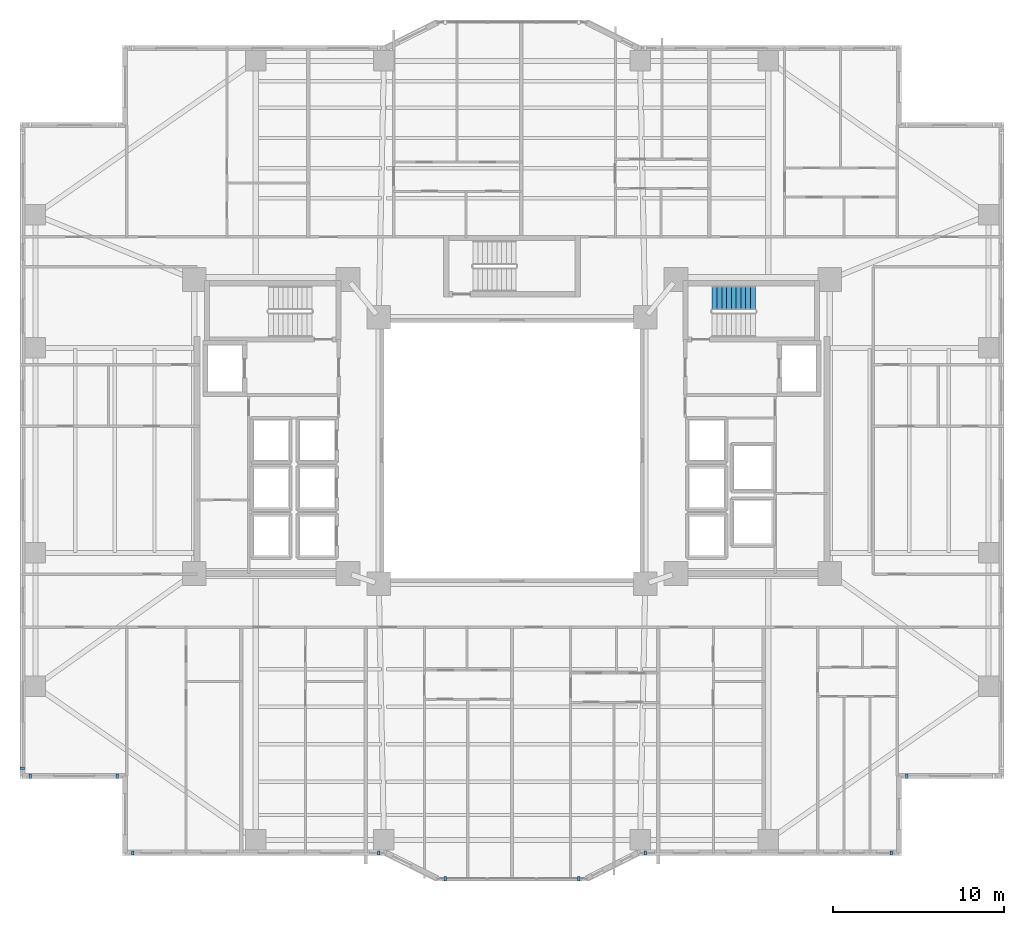
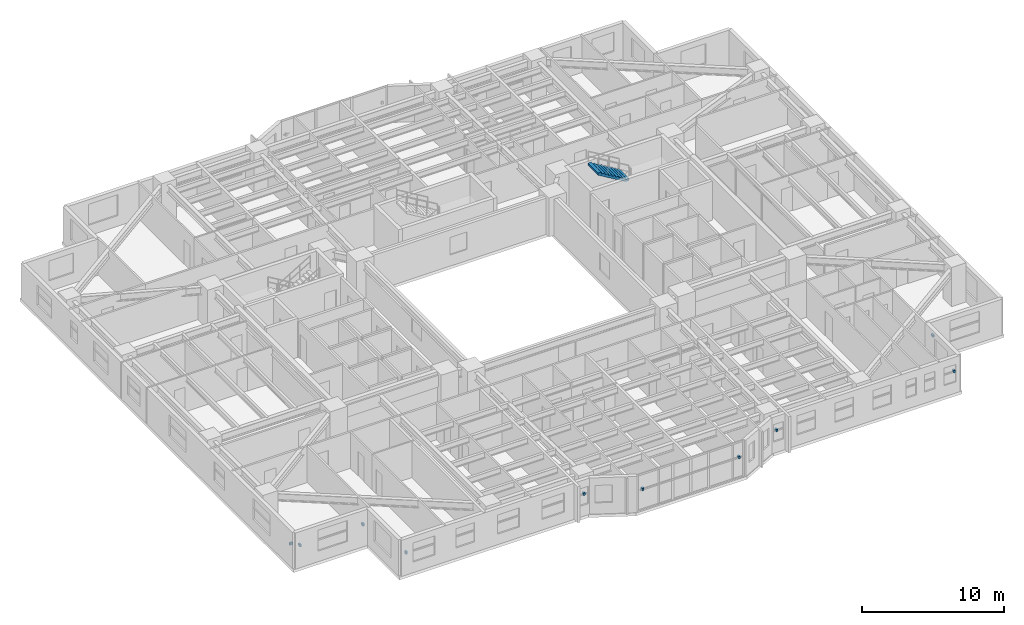
# One storey, part 17 of 22: 10 discrete accessories, 1 stair flight, 1 element without a shape of its own.
"""IFC4 building model written with IfcOpenShell, lengths in metres."""

from ifc_helpers import new_model, si_unit, direction, frame, origin, origin_2d, place, context, subcontext, project, spatial, polyline, rectangle, outline, extrude, material, type_object, element, aggregate, save


model = new_model("IFC4")

# Units and contexts
model_context = context("Model", 3, precision=1e-05, world=origin(), true_north=direction((0.0, 1.0)))
body_context = subcontext(model_context, "Body", "Model", "MODEL_VIEW")
ifc_project = project(units=[si_unit("LENGTHUNIT", "METRE"), si_unit("AREAUNIT", "SQUARE_METRE"), si_unit("VOLUMEUNIT", "CUBIC_METRE"), si_unit("PLANEANGLEUNIT", "RADIAN"), si_unit("MASSUNIT", "GRAM", prefix="KILO")], contexts=[model_context])

# Site, building, storey
site_placement = place(None, origin())
site = spatial("IfcSite", under=ifc_project, at=site_placement, CompositionType="ELEMENT")
building_placement = place(site_placement, origin())
building = spatial("IfcBuilding", under=site, at=building_placement, Name="Tarnavaz Court Tower", CompositionType="ELEMENT")
storey_placement = place(building_placement, frame((0.0, 0.0, 57.5)))
storey = spatial("IfcBuildingStorey", under=building, at=storey_placement, Name="L15", CompositionType="ELEMENT", Elevation=57.5)

# Stair, stair flight
ifc_material_1 = material(Name="Concrete C40/50", Category="concrete")
stair_type = type_object("IfcStairType", Name="ST-TWR-20R", PredefinedType="HALF_TURN_STAIR", material=ifc_material_1)
stair_placement = place(storey_placement, origin())
stair = element("IfcStair", 1, at=stair_placement, inside=storey, type_object=stair_type, Name="L15 East Core Pressurized Exit Stair ST-E1", PredefinedType="HALF_TURN_STAIR")
stair_flight_type = type_object("IfcStairFlightType", Name="SFL-RC-20R", PredefinedType="STRAIGHT", material=ifc_material_1)
stair_flight_placement = place(storey_placement, frame((14.239990234375, 8.929931640625, 1.675048828125), z_axis=(0.0, 0.0, 1.0), x_axis=(-1.0, 0.0, 0.0)))
stair_flight = element("IfcStairFlight", 2, at=stair_flight_placement, type_object=stair_flight_type, Name="ST-E1 flight 2", NumberOfRisers=10, NumberOfTreads=9, PredefinedType="STRAIGHT", RiserHeight=0.1675, TreadLength=0.28, context=body_context, shape_type="SweptSolid", body=[
    extrude(outline(polyline([(0.0, 0.0), (0.0, 0.16748046875), (0.280029296875, 0.16748046875), (0.280029296875, 0.3349609375), (0.56005859375, 0.3349609375), (0.56005859375, 0.50244140625), (0.840087890625, 0.50244140625), (0.840087890625, 0.669921875), (1.1201171875, 0.669921875), (1.1201171875, 0.83740234375), (1.39990234375, 0.83740234375), (1.39990234375, 1.0048828125), (1.679931640625, 1.0048828125), (1.679931640625, 1.172607421875), (1.9599609375, 1.172607421875), (1.9599609375, 1.340087890625), (2.239990234375, 1.340087890625), (2.239990234375, 1.507568359375), (2.52001953125, 1.507568359375), (2.52001953125, 1.675048828125), (2.52001953125, 1.332763671875), (0.2919921875, 0.0), (0.0, 0.0)])), frame((0.0, 0.7099609375, 0.0), z_axis=(0.0, -1.0, 0.0), x_axis=(1.0, 0.0, 0.0)), (0.0, 0.0, 1.0), 1.419921875),
])
aggregate(stair, [stair_flight])

# Discrete accessories
ifc_material_2 = material(Name="Anodised Aluminium 6063-T6", Category="aluminium")
discrete_accessory_type = type_object("IfcDiscreteAccessoryType", Name="DA-BRKT-ALU", PredefinedType="BRACKET", material=ifc_material_2)
for number, where, z_axis, x_axis, name in (
    (3, (-23.10009765625, -19.070068359375, 1.75), (0.0, 0.0, 1.0), (-1.0, 0.0, 0.0), "L15 Baguette Outrigger Bracket FBG01-1"),
    (4, (-28.199951171875, -19.070068359375, 1.75), (0.0, 0.0, 1.0), (-1.0, 0.0, 0.0), "L15 Baguette Outrigger Bracket FBG01-2"),
    (5, (-28.669921875, -18.60009765625, 1.75), (0.0, 0.0, 1.0), (0.0, 1.0, 0.0), "L15 Baguette Outrigger Bracket FBG02-1"),
    (6, (23.10009765625, -19.070068359375, 1.75), (0.0, 0.0, 1.0), (-1.0, 0.0, 0.0), "L15 Baguette Outrigger Bracket FBG13-2"),
    (7, (22.199951171875, -23.570068359375, 1.75), (0.0, 0.0, 1.0), (-1.0, 0.0, 0.0), "L15 Baguette Outrigger Bracket FBG15-1"),
    (8, (7.800048828125, -23.570068359375, 1.75), (0.0, 0.0, 1.0), (-1.0, 0.0, 0.0), "L15 Baguette Outrigger Bracket FBG15-2"),
    (9, (3.89990234375, -25.070068359375, 1.7001953125), (0.0, 0.0, 1.0), (-1.0, 0.0, 0.0), "L15 Baguette Outrigger Bracket PBG17-1"),
    (10, (-3.89990234375, -25.070068359375, 1.7001953125), (0.0, 0.0, 1.0), (-1.0, 0.0, 0.0), "L15 Baguette Outrigger Bracket PBG17-2"),
    (11, (-7.800048828125, -23.570068359375, 1.75), (0.0, 0.0, 1.0), (-1.0, 0.0, 0.0), "L15 Baguette Outrigger Bracket FBG19-1"),
    (12, (-22.199951171875, -23.570068359375, 1.75), (0.0, 0.0, 1.0), (-1.0, 0.0, 0.0), "L15 Baguette Outrigger Bracket FBG19-2"),
):
    element("IfcDiscreteAccessory", number, at=place(storey_placement, frame(where, z_axis=z_axis, x_axis=x_axis)), inside=storey, type_object=discrete_accessory_type, Name=name, PredefinedType="BRACKET", context=body_context, shape_type="SweptSolid", body=[
        extrude(rectangle(XDim=0.139892578125, YDim=0.239990234375, at=origin_2d()), origin(), (0.0, 0.0, 1.0), 0.199951171875),
    ])

save(model, "model.ifc")
